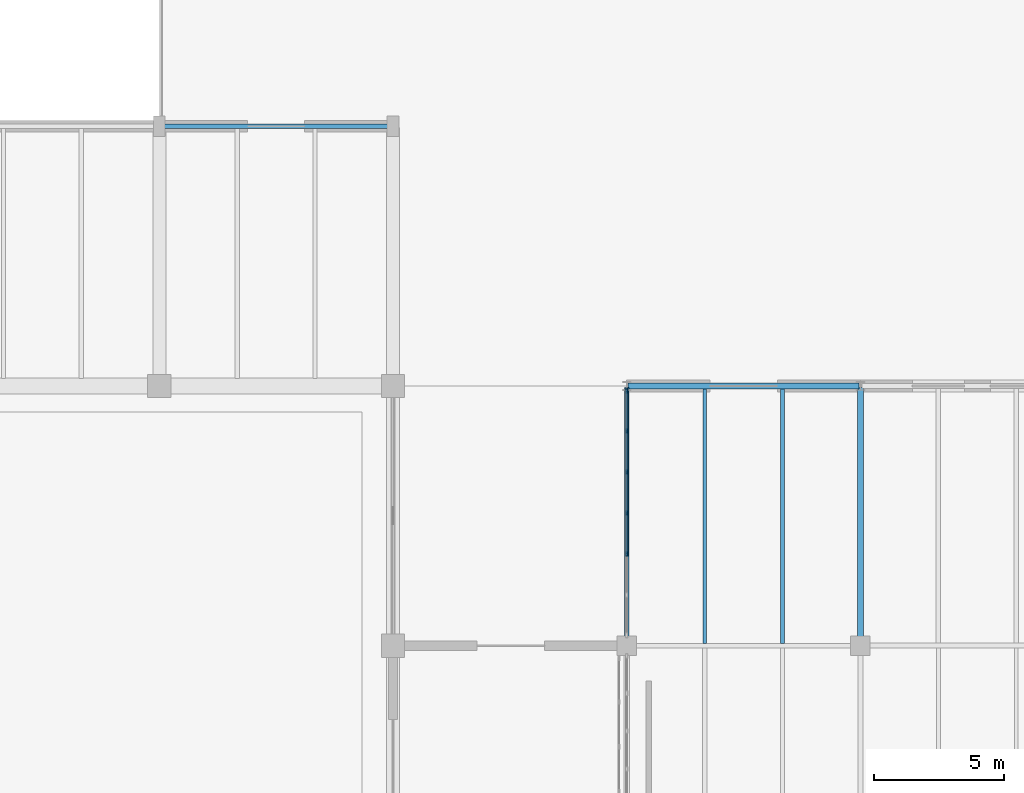
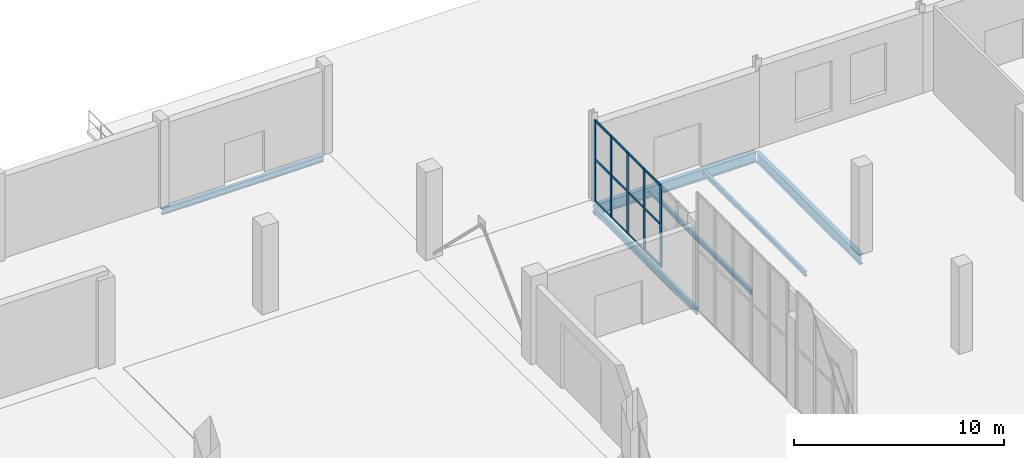
# One storey, part 56 of 103: 17 members, 6 beams, 1 element without a shape of its own.
"""IFC4 building model written with IfcOpenShell, lengths in metres."""

from ifc_helpers import new_model, si_unit, direction, frame, origin, origin_2d, place, context, subcontext, project, spatial, rectangle, i_section, extrude, material, layer, layer_set, material_profile, profile_set, type_object, element, aggregate, save


model = new_model("IFC4")

# Units and contexts
model_context = context("Model", 3, precision=1e-05, world=origin(), true_north=direction((0.0, 1.0)))
body_context = subcontext(model_context, "Body", "Model", "MODEL_VIEW")
ifc_project = project(units=[si_unit("LENGTHUNIT", "METRE"), si_unit("AREAUNIT", "SQUARE_METRE"), si_unit("VOLUMEUNIT", "CUBIC_METRE"), si_unit("PLANEANGLEUNIT", "RADIAN"), si_unit("MASSUNIT", "GRAM", prefix="KILO")], contexts=[model_context])

# Site, building, storey
site_placement = place(None, origin())
site = spatial("IfcSite", under=ifc_project, at=site_placement, CompositionType="ELEMENT")
building_placement = place(site_placement, origin())
building = spatial("IfcBuilding", under=site, at=building_placement, Name="Marnock Terrace Opera House", CompositionType="ELEMENT")
storey_placement = place(building_placement, origin())
storey = spatial("IfcBuildingStorey", under=building, at=storey_placement, Name="L00", CompositionType="ELEMENT", Elevation=0.0)

# Beams
ifc_material_1 = material(Name="Steel Grade 350 (AS/NZS 3679.1)", Category="steel")
ifc_material_profile_1 = material_profile(ifc_material_1, i_section(OverallWidth=0.1708984375, OverallDepth=0.355712890625, WebThickness=0.00732421875, FlangeThickness=0.011474609375, FilletRadius=0.011474609375, at=origin_2d()))
ifc_profile_set_1 = profile_set([ifc_material_profile_1], Name="Steel Grade 350 (AS/NZS 3679.1)")
beam_type_1 = type_object("IfcBeamType", Name="BM-GIRD-360", PredefinedType="BEAM", material=ifc_profile_set_1)
beam_1_placement = place(storey_placement, frame((118.0, 94.050048828125, -0.477783203125), z_axis=(0.0, 1.0, 0.0), x_axis=(-1.0, 0.0, 0.0)))
element("IfcBeam", 1, at=beam_1_placement, inside=storey, type_object=beam_type_1, Name="L00 girder (X=118.0, 94.0..104.0)", PredefinedType="BEAM", context=body_context, shape_type="SweptSolid", body=[
    extrude(i_section(OverallWidth=0.1708984375, OverallDepth=0.355712890625, WebThickness=0.00732421875, FlangeThickness=0.011474609375, FilletRadius=0.011474609375, at=origin_2d()), origin(), (0.0, 0.0, 1.0), 9.89990234375),
])
ifc_material_profile_2 = material_profile(ifc_material_1, i_section(OverallWidth=0.22900390625, OverallDepth=0.611572265625, WebThickness=0.011962890625, FlangeThickness=0.01953125, FilletRadius=0.013916015625, at=origin_2d()))
ifc_profile_set_2 = profile_set([ifc_material_profile_2], Name="Steel Grade 350 (AS/NZS 3679.1)")
beam_type_2 = type_object("IfcBeamType", Name="BM-GIRD-610A", PredefinedType="BEAM", material=ifc_profile_set_2)
beam_2_placement = place(storey_placement, frame((118.050048828125, 104.0, -0.605712890625), z_axis=(1.0, 0.0, 0.0), x_axis=(0.0, 1.0, 0.0)))
element("IfcBeam", 2, at=beam_2_placement, inside=storey, type_object=beam_type_2, Name="L00 girder (118.0..127.0, Y=104.0)", PredefinedType="BEAM", context=body_context, shape_type="SweptSolid", body=[
    extrude(i_section(OverallWidth=0.22900390625, OverallDepth=0.611572265625, WebThickness=0.011962890625, FlangeThickness=0.01953125, FilletRadius=0.013916015625, at=origin_2d()), origin(), (0.0, 0.0, 1.0), 8.89990234375),
])
ifc_material_profile_3 = material_profile(ifc_material_1, i_section(OverallWidth=0.22802734375, OverallDepth=0.60205078125, WebThickness=0.010498046875, FlangeThickness=0.014892578125, FilletRadius=0.013916015625, at=origin_2d()))
ifc_profile_set_3 = profile_set([ifc_material_profile_3], Name="Steel Grade 350 (AS/NZS 3679.1)")
beam_type_3 = type_object("IfcBeamType", Name="BM-GIRD-610C", PredefinedType="BEAM", material=ifc_profile_set_3)
beam_3_placement = place(storey_placement, frame((127.0, 94.050048828125, -0.60107421875), z_axis=(0.0, 1.0, 0.0), x_axis=(-1.0, 0.0, 0.0)))
element("IfcBeam", 3, at=beam_3_placement, inside=storey, type_object=beam_type_3, Name="L00 girder (X=127.0, 94.0..104.0)", PredefinedType="BEAM", context=body_context, shape_type="SweptSolid", body=[
    extrude(i_section(OverallWidth=0.22802734375, OverallDepth=0.60205078125, WebThickness=0.010498046875, FlangeThickness=0.014892578125, FilletRadius=0.013916015625, at=origin_2d()), origin(), (0.0, 0.0, 1.0), 9.89990234375),
])
ifc_material_profile_4 = material_profile(ifc_material_1, i_section(OverallWidth=0.14599609375, OverallDepth=0.256103515625, WebThickness=0.00634765625, FlangeThickness=0.010986328125, FilletRadius=0.0087890625, at=origin_2d()))
ifc_profile_set_4 = profile_set([ifc_material_profile_4], Name="Steel Grade 350 (AS/NZS 3679.1)")
beam_type_4 = type_object("IfcBeamType", Name="BM-JOIST-250", PredefinedType="JOIST", material=ifc_profile_set_4)
for number, where, z_axis, x_axis, name in (
    (4, (121.0, 94.083984375, -0.427978515625), (0.0, 1.0, 0.0), (-1.0, 0.0, 0.0), "L00 secondary joist 13.11.1"),
    (5, (124.0, 94.083984375, -0.427978515625), (0.0, 1.0, 0.0), (-1.0, 0.0, 0.0), "L00 secondary joist 13.11.2"),
):
    element("IfcBeam", number, at=place(storey_placement, frame(where, z_axis=z_axis, x_axis=x_axis)), inside=storey, type_object=beam_type_4, Name=name, PredefinedType="JOIST", context=body_context, shape_type="SweptSolid", body=[
        extrude(i_section(OverallWidth=0.14599609375, OverallDepth=0.256103515625, WebThickness=0.00634765625, FlangeThickness=0.010986328125, FilletRadius=0.0087890625, at=origin_2d()), origin(), (0.0, 0.0, 1.0), 9.806396484375),
    ])
ifc_material_profile_5 = material_profile(ifc_material_1, i_section(OverallWidth=0.172119140625, OverallDepth=0.358642578125, WebThickness=0.008056640625, FlangeThickness=0.012939453125, FilletRadius=0.011474609375, at=origin_2d()))
ifc_profile_set_5 = profile_set([ifc_material_profile_5], Name="Steel Grade 350 (AS/NZS 3679.1)")
beam_type_5 = type_object("IfcBeamType", Name="BM-SPAN-360", PredefinedType="SPANDREL", material=ifc_profile_set_5)
beam_4_placement = place(storey_placement, frame((100.050048828125, 114.0, -0.479248046875), z_axis=(1.0, 0.0, 0.0), x_axis=(0.0, 1.0, 0.0)))
element("IfcBeam", 6, at=beam_4_placement, inside=storey, type_object=beam_type_5, Name="L00 girder (100.0..109.0, Y=114.0)", PredefinedType="SPANDREL", context=body_context, shape_type="SweptSolid", body=[
    extrude(i_section(OverallWidth=0.172119140625, OverallDepth=0.358642578125, WebThickness=0.008056640625, FlangeThickness=0.012939453125, FilletRadius=0.011474609375, at=origin_2d()), origin(), (0.0, 0.0, 1.0), 8.89990234375),
])

# Curtain wall, members
ifc_material_2 = material(Name="Anodised architectural bronze aluminium framing", Category="aluminium")
ifc_layer = layer(ifc_material_2, 0.159912109375)
ifc_layer_set = layer_set([ifc_layer], Name="Anodised architectural bronze aluminium framing")
curtain_wall_type = type_object("IfcCurtainWallType", Name="CW-FOYER-95x51", PredefinedType="NOTDEFINED", material=ifc_layer_set)
curtain_wall_placement = place(storey_placement, origin())
curtain_wall = element("IfcCurtainWall", 7, at=curtain_wall_placement, inside=storey, type_object=curtain_wall_type, Name="L00 glazed Beaux-Arts colonnade curtain wall CW-V5-L00-W8", PredefinedType="NOTDEFINED")
ifc_material_profile_6 = material_profile(ifc_material_2, rectangle(XDim=0.06494140625, YDim=0.179931640625, at=origin_2d()))
ifc_profile_set_6 = profile_set([ifc_material_profile_6], Name="Anodised architectural bronze aluminium framing")
member_type_1 = type_object("IfcMemberType", Name="CWM-65x180", PredefinedType="MULLION", material=ifc_profile_set_6)
member_1_placement = place(storey_placement, frame((118.0, 97.527587890625, 0.0), z_axis=(0.0, 0.0, 1.0), x_axis=(-1.0, 0.0, 0.0)))
member_1 = element("IfcMember", 8, at=member_1_placement, type_object=member_type_1, Name="CW-24 mullion 3", PredefinedType="MULLION", context=body_context, shape_type="SweptSolid", body=[
    extrude(rectangle(XDim=0.06494140625, YDim=0.179931640625, at=origin_2d()), origin(), (0.0, 0.0, 1.0), 4.734375),
])
member_2_placement = place(storey_placement, frame((118.0, 99.105712890625, 0.0), z_axis=(0.0, 0.0, 1.0), x_axis=(-1.0, 0.0, 0.0)))
member_2 = element("IfcMember", 9, at=member_2_placement, type_object=member_type_1, Name="CW-24 mullion 4", PredefinedType="MULLION", context=body_context, shape_type="SweptSolid", body=[
    extrude(rectangle(XDim=0.06494140625, YDim=0.179931640625, at=origin_2d()), origin(), (0.0, 0.0, 1.0), 4.734375),
])
member_3_placement = place(storey_placement, frame((118.0, 100.683837890625, 0.0), z_axis=(0.0, 0.0, 1.0), x_axis=(-1.0, 0.0, 0.0)))
member_3 = element("IfcMember", 10, at=member_3_placement, type_object=member_type_1, Name="CW-24 mullion 5", PredefinedType="MULLION", context=body_context, shape_type="SweptSolid", body=[
    extrude(rectangle(XDim=0.06494140625, YDim=0.179931640625, at=origin_2d()), origin(), (0.0, 0.0, 1.0), 4.734375),
])
member_4_placement = place(storey_placement, frame((118.0, 102.26220703125, 0.0), z_axis=(0.0, 0.0, 1.0), x_axis=(-1.0, 0.0, 0.0)))
member_4 = element("IfcMember", 11, at=member_4_placement, type_object=member_type_1, Name="CW-24 mullion 6", PredefinedType="MULLION", context=body_context, shape_type="SweptSolid", body=[
    extrude(rectangle(XDim=0.06494140625, YDim=0.179931640625, at=origin_2d()), origin(), (0.0, 0.0, 1.0), 4.734375),
])
member_5_placement = place(storey_placement, frame((118.0, 103.810302734375, 0.0), z_axis=(0.0, 0.0, 1.0), x_axis=(-1.0, 0.0, 0.0)))
member_5 = element("IfcMember", 12, at=member_5_placement, type_object=member_type_1, Name="CW-24 mullion 7", PredefinedType="MULLION", context=body_context, shape_type="SweptSolid", body=[
    extrude(rectangle(XDim=0.06494140625, YDim=0.179931640625, at=origin_2d()), origin(), (0.0, 0.0, 1.0), 4.734375),
])
ifc_material_profile_7 = material_profile(ifc_material_2, rectangle(XDim=0.06005859375, YDim=0.1298828125, at=origin_2d()))
ifc_profile_set_7 = profile_set([ifc_material_profile_7], Name="Anodised architectural bronze aluminium framing")
member_type_2 = type_object("IfcMemberType", Name="CWT-60x130", PredefinedType="USERDEFINED", material=ifc_profile_set_7)
member_6_placement = place(storey_placement, frame((118.0, 97.557373046875, 0.030029296875), z_axis=(0.0, 1.0, 0.0), x_axis=(-1.0, 0.0, 0.0)))
member_6 = element("IfcMember", 13, at=member_6_placement, type_object=member_type_2, Name="CW-24 transom 3.1", ObjectType="TRANSOM", PredefinedType="USERDEFINED", context=body_context, shape_type="SweptSolid", body=[
    extrude(rectangle(XDim=0.06005859375, YDim=0.1298828125, at=origin_2d()), origin(), (0.0, 0.0, 1.0), 1.518310546875),
])
member_7_placement = place(storey_placement, frame((118.0, 97.557373046875, 2.4619140625), z_axis=(0.0, 1.0, 0.0), x_axis=(-1.0, 0.0, 0.0)))
member_7 = element("IfcMember", 14, at=member_7_placement, type_object=member_type_2, Name="CW-24 transom 3.2", ObjectType="TRANSOM", PredefinedType="USERDEFINED", context=body_context, shape_type="SweptSolid", body=[
    extrude(rectangle(XDim=0.06005859375, YDim=0.1298828125, at=origin_2d()), origin(), (0.0, 0.0, 1.0), 1.518310546875),
])
member_8_placement = place(storey_placement, frame((118.0, 97.557373046875, 4.704345703125), z_axis=(0.0, 1.0, 0.0), x_axis=(-1.0, 0.0, 0.0)))
member_8 = element("IfcMember", 15, at=member_8_placement, type_object=member_type_2, Name="CW-24 transom 3.3", ObjectType="TRANSOM", PredefinedType="USERDEFINED", context=body_context, shape_type="SweptSolid", body=[
    extrude(rectangle(XDim=0.06005859375, YDim=0.1298828125, at=origin_2d()), origin(), (0.0, 0.0, 1.0), 1.518310546875),
])
member_9_placement = place(storey_placement, frame((118.0, 99.1357421875, 0.030029296875), z_axis=(0.0, 1.0, 0.0), x_axis=(-1.0, 0.0, 0.0)))
member_9 = element("IfcMember", 16, at=member_9_placement, type_object=member_type_2, Name="CW-24 transom 4.1", ObjectType="TRANSOM", PredefinedType="USERDEFINED", context=body_context, shape_type="SweptSolid", body=[
    extrude(rectangle(XDim=0.06005859375, YDim=0.1298828125, at=origin_2d()), origin(), (0.0, 0.0, 1.0), 1.518310546875),
])
member_10_placement = place(storey_placement, frame((118.0, 99.1357421875, 2.4619140625), z_axis=(0.0, 1.0, 0.0), x_axis=(-1.0, 0.0, 0.0)))
member_10 = element("IfcMember", 17, at=member_10_placement, type_object=member_type_2, Name="CW-24 transom 4.2", ObjectType="TRANSOM", PredefinedType="USERDEFINED", context=body_context, shape_type="SweptSolid", body=[
    extrude(rectangle(XDim=0.06005859375, YDim=0.1298828125, at=origin_2d()), origin(), (0.0, 0.0, 1.0), 1.518310546875),
])
member_11_placement = place(storey_placement, frame((118.0, 99.1357421875, 4.704345703125), z_axis=(0.0, 1.0, 0.0), x_axis=(-1.0, 0.0, 0.0)))
member_11 = element("IfcMember", 18, at=member_11_placement, type_object=member_type_2, Name="CW-24 transom 4.3", ObjectType="TRANSOM", PredefinedType="USERDEFINED", context=body_context, shape_type="SweptSolid", body=[
    extrude(rectangle(XDim=0.06005859375, YDim=0.1298828125, at=origin_2d()), origin(), (0.0, 0.0, 1.0), 1.518310546875),
])
member_12_placement = place(storey_placement, frame((118.0, 100.7138671875, 0.030029296875), z_axis=(0.0, 1.0, 0.0), x_axis=(-1.0, 0.0, 0.0)))
member_12 = element("IfcMember", 19, at=member_12_placement, type_object=member_type_2, Name="CW-24 transom 5.1", ObjectType="TRANSOM", PredefinedType="USERDEFINED", context=body_context, shape_type="SweptSolid", body=[
    extrude(rectangle(XDim=0.06005859375, YDim=0.1298828125, at=origin_2d()), origin(), (0.0, 0.0, 1.0), 1.518310546875),
])
member_13_placement = place(storey_placement, frame((118.0, 100.7138671875, 2.4619140625), z_axis=(0.0, 1.0, 0.0), x_axis=(-1.0, 0.0, 0.0)))
member_13 = element("IfcMember", 20, at=member_13_placement, type_object=member_type_2, Name="CW-24 transom 5.2", ObjectType="TRANSOM", PredefinedType="USERDEFINED", context=body_context, shape_type="SweptSolid", body=[
    extrude(rectangle(XDim=0.06005859375, YDim=0.1298828125, at=origin_2d()), origin(), (0.0, 0.0, 1.0), 1.518310546875),
])
member_14_placement = place(storey_placement, frame((118.0, 100.7138671875, 4.704345703125), z_axis=(0.0, 1.0, 0.0), x_axis=(-1.0, 0.0, 0.0)))
member_14 = element("IfcMember", 21, at=member_14_placement, type_object=member_type_2, Name="CW-24 transom 5.3", ObjectType="TRANSOM", PredefinedType="USERDEFINED", context=body_context, shape_type="SweptSolid", body=[
    extrude(rectangle(XDim=0.06005859375, YDim=0.1298828125, at=origin_2d()), origin(), (0.0, 0.0, 1.0), 1.518310546875),
])
member_15_placement = place(storey_placement, frame((118.0, 102.292236328125, 0.030029296875), z_axis=(0.0, 1.0, 0.0), x_axis=(-1.0, 0.0, 0.0)))
member_15 = element("IfcMember", 22, at=member_15_placement, type_object=member_type_2, Name="CW-24 transom 6.1", ObjectType="TRANSOM", PredefinedType="USERDEFINED", context=body_context, shape_type="SweptSolid", body=[
    extrude(rectangle(XDim=0.06005859375, YDim=0.1298828125, at=origin_2d()), origin(), (0.0, 0.0, 1.0), 1.48828125),
])
member_16_placement = place(storey_placement, frame((118.0, 102.292236328125, 2.4619140625), z_axis=(0.0, 1.0, 0.0), x_axis=(-1.0, 0.0, 0.0)))
member_16 = element("IfcMember", 23, at=member_16_placement, type_object=member_type_2, Name="CW-24 transom 6.2", ObjectType="TRANSOM", PredefinedType="USERDEFINED", context=body_context, shape_type="SweptSolid", body=[
    extrude(rectangle(XDim=0.06005859375, YDim=0.1298828125, at=origin_2d()), origin(), (0.0, 0.0, 1.0), 1.48828125),
])
member_17_placement = place(storey_placement, frame((118.0, 102.292236328125, 4.704345703125), z_axis=(0.0, 1.0, 0.0), x_axis=(-1.0, 0.0, 0.0)))
member_17 = element("IfcMember", 24, at=member_17_placement, type_object=member_type_2, Name="CW-24 transom 6.3", ObjectType="TRANSOM", PredefinedType="USERDEFINED", context=body_context, shape_type="SweptSolid", body=[
    extrude(rectangle(XDim=0.06005859375, YDim=0.1298828125, at=origin_2d()), origin(), (0.0, 0.0, 1.0), 1.48828125),
])
aggregate(curtain_wall, [member_1, member_2, member_3, member_4, member_5, member_6, member_7, member_8, member_9, member_10, member_11, member_12, member_13, member_14, member_15, member_16, member_17])

save(model, "model.ifc")
